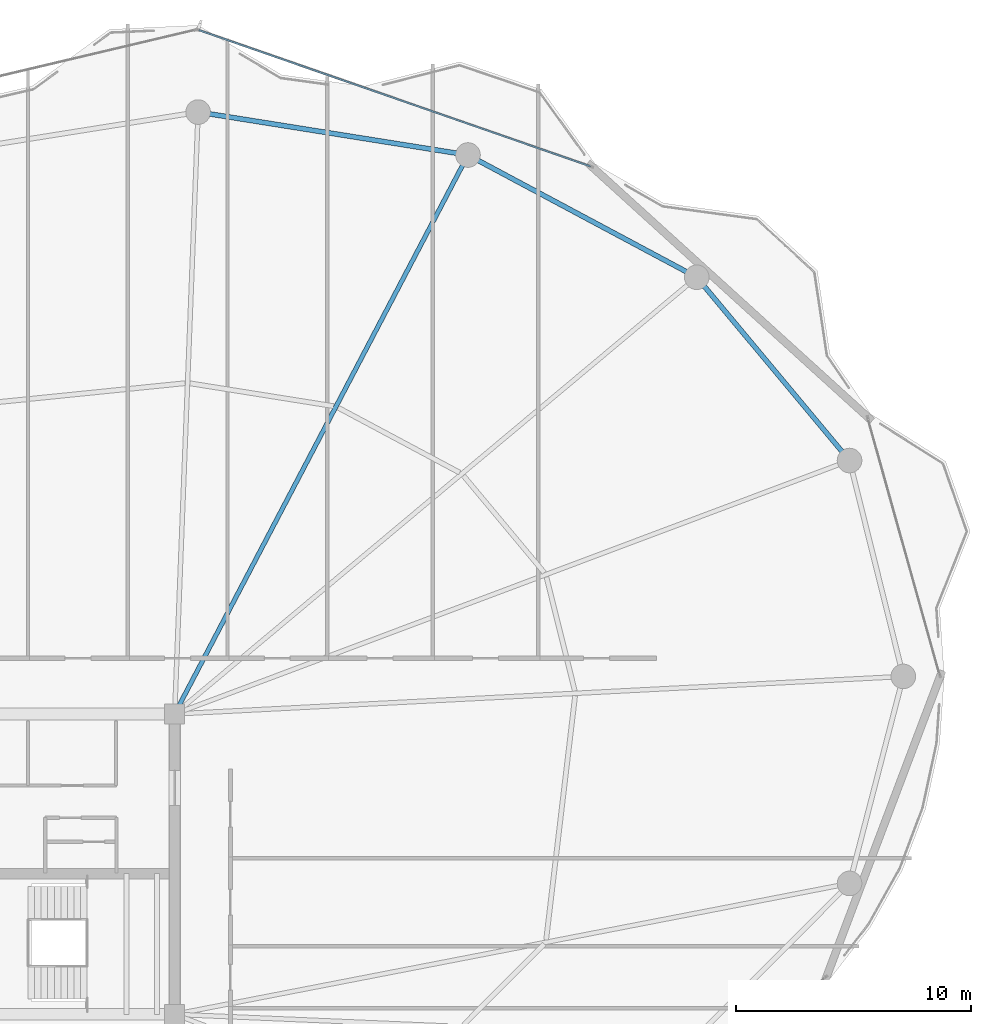
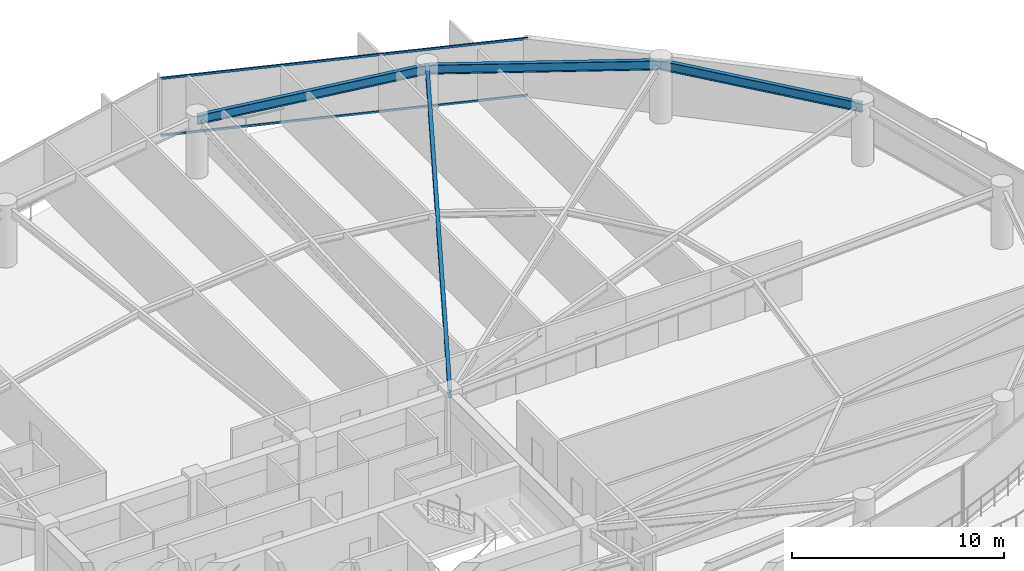
# One storey, part 20 of 29: 4 beams, 2 members, 1 element without a shape of its own.
"""IFC4 building model written with IfcOpenShell, lengths in metres."""

from ifc_helpers import new_model, si_unit, direction, frame, origin, origin_2d, place, context, subcontext, project, spatial, hollow_rectangle, i_section, extrude, material, layer, layer_set, material_profile, profile_set, type_object, element, aggregate, save


model = new_model("IFC4")

# Units and contexts
model_context = context("Model", 3, precision=1e-05, world=origin(), true_north=direction((0.0, 1.0)))
body_context = subcontext(model_context, "Body", "Model", "MODEL_VIEW")
ifc_project = project(units=[si_unit("LENGTHUNIT", "METRE"), si_unit("AREAUNIT", "SQUARE_METRE"), si_unit("VOLUMEUNIT", "CUBIC_METRE"), si_unit("PLANEANGLEUNIT", "RADIAN"), si_unit("MASSUNIT", "GRAM", prefix="KILO")], contexts=[model_context])

# Site, building, storey
site_placement = place(None, origin())
site = spatial("IfcSite", under=ifc_project, at=site_placement, CompositionType="ELEMENT")
building_placement = place(site_placement, origin())
building = spatial("IfcBuilding", under=site, at=building_placement, Name="Kazevale Care Tower and Concert Hall", CompositionType="ELEMENT")
storey_placement = place(building_placement, frame((0.0, 0.0, 224.39990234375)))
storey = spatial("IfcBuildingStorey", under=building, at=storey_placement, Name="L59", CompositionType="ELEMENT", Elevation=224.39990234375)

# Curtain wall, members
ifc_material_1 = material(Name="Aluminium 6063-T6 and Low-E Glass", Category="aluminium")
ifc_layer = layer(ifc_material_1, 0.179931640625)
ifc_layer_set = layer_set([ifc_layer], Name="Aluminium 6063-T6 and Low-E Glass")
curtain_wall_type = type_object("IfcCurtainWallType", Name="Convex Checkerboard Finned Curtain Wall CW-2", PredefinedType="NOTDEFINED", material=ifc_layer_set)
curtain_wall_placement = place(storey_placement, origin())
curtain_wall = element("IfcCurtainWall", 1, at=curtain_wall_placement, inside=storey, type_object=curtain_wall_type, Name="cw:L59:f16", PredefinedType="NOTDEFINED")
ifc_material_2 = material(Name="Aluminium 6063-T6", Category="aluminium")
ifc_material_profile_1 = material_profile(ifc_material_2, hollow_rectangle(XDim=0.074951171875, YDim=0.1201171875, WallThickness=0.00390625, at=origin_2d()), Name="ALU75x120x4")
ifc_profile_set_1 = profile_set([ifc_material_profile_1], Name="Aluminium 6063-T6")
member_type = type_object("IfcMemberType", Name="CW-2 Transom ALU75x120x4", PredefinedType="USERDEFINED", material=ifc_profile_set_1)
member_1_placement = place(storey_placement, frame((45.029541015625, 65.541748046875, 0.03759765625), z_axis=(0.944475733242, -0.328581176146, 0.0), x_axis=(0.328581176146, 0.944475733242, 0.0)))
member_1 = element("IfcMember", 2, at=member_1_placement, type_object=member_type, Name="CW-2 transom 1.1", ObjectType="TRANSOM", PredefinedType="USERDEFINED", context=body_context, shape_type="SweptSolid", body=[
    extrude(hollow_rectangle(XDim=0.074951171875, YDim=0.1201171875, WallThickness=0.00390625, at=origin_2d()), origin(), (0.0, 0.0, 1.0), 17.671142578125),
])
member_2_placement = place(storey_placement, frame((45.029541015625, 65.541748046875, 3.322509765625), z_axis=(0.944475733242, -0.328581176146, 0.0), x_axis=(0.328581176146, 0.944475733242, 0.0)))
member_2 = element("IfcMember", 3, at=member_2_placement, type_object=member_type, Name="CW-2 transom 1.2", ObjectType="TRANSOM", PredefinedType="USERDEFINED", context=body_context, shape_type="SweptSolid", body=[
    extrude(hollow_rectangle(XDim=0.074951171875, YDim=0.1201171875, WallThickness=0.00390625, at=origin_2d()), origin(), (0.0, 0.0, 1.0), 17.671142578125),
])
aggregate(curtain_wall, [member_1, member_2])

# Beams
ifc_material_3 = material(Name="Steel ASTM A572 Gr 50", Category="steel")
ifc_material_profile_2 = material_profile(ifc_material_3, i_section(OverallWidth=0.19091796875, OverallDepth=0.4599609375, WebThickness=0.010009765625, FlangeThickness=0.01611328125, at=origin_2d()), Name="W460x82")
ifc_profile_set_2 = profile_set([ifc_material_profile_2], Name="Steel ASTM A572 Gr 50")
beam_type_1 = type_object("IfcBeamType", Name="Radial Floor Beam W460x82", PredefinedType="BEAM", material=ifc_profile_set_2)
beam_1_placement = place(storey_placement, frame((44.0, 36.39990234375, 3.130126953125), z_axis=(0.464672566396, 0.885482583702, 0.0), x_axis=(-0.885482583702, 0.464672566396, 0.0)))
element("IfcBeam", 4, at=beam_1_placement, inside=storey, type_object=beam_type_1, Name="beam:L59:rad:04", PredefinedType="BEAM", context=body_context, shape_type="SweptSolid", body=[
    extrude(i_section(OverallWidth=0.19091796875, OverallDepth=0.4599609375, WebThickness=0.010009765625, FlangeThickness=0.01611328125, at=origin_2d()), origin(), (0.0, 0.0, 1.0), 26.900634765625),
])
ifc_material_profile_3 = material_profile(ifc_material_3, i_section(OverallWidth=0.208984375, OverallDepth=0.532958984375, WebThickness=0.01025390625, FlangeThickness=0.015625, at=origin_2d()), Name="W530x92")
ifc_profile_set_3 = profile_set([ifc_material_profile_3], Name="Steel ASTM A572 Gr 50")
beam_type_2 = type_object("IfcBeamType", Name="Upper Ring Beam W530x92", PredefinedType="BEAM", material=ifc_profile_set_3)
beam_2_placement = place(storey_placement, frame((72.760009765625, 47.199951171875, 3.093505859375), z_axis=(-0.640278868102, 0.768142546056, 0.0), x_axis=(-0.768142546056, -0.640278868102, 0.0)))
element("IfcBeam", 5, at=beam_2_placement, inside=storey, type_object=beam_type_2, Name="beam:L59:ring:02", PredefinedType="BEAM", context=body_context, shape_type="SweptSolid", body=[
    extrude(i_section(OverallWidth=0.208984375, OverallDepth=0.532958984375, WebThickness=0.01025390625, FlangeThickness=0.015625, at=origin_2d()), origin(), (0.0, 0.0, 1.0), 10.16748046875),
])
beam_3_placement = place(storey_placement, frame((66.25, 55.010009765625, 3.093505859375), z_axis=(-0.881978519833, 0.471289603697, 0.0), x_axis=(-0.471289603697, -0.881978519833, 0.0)))
element("IfcBeam", 6, at=beam_3_placement, inside=storey, type_object=beam_type_2, Name="beam:L59:ring:03", PredefinedType="BEAM", context=body_context, shape_type="SweptSolid", body=[
    extrude(i_section(OverallWidth=0.208984375, OverallDepth=0.532958984375, WebThickness=0.01025390625, FlangeThickness=0.015625, at=origin_2d()), origin(), (0.0, 0.0, 1.0), 11.0546875),
])
beam_4_placement = place(storey_placement, frame((56.5, 60.219970703125, 3.093505859375), z_axis=(-0.987573207584, 0.15715966296, 0.0), x_axis=(-0.15715966296, -0.987573207584, 0.0)))
element("IfcBeam", 7, at=beam_4_placement, inside=storey, type_object=beam_type_2, Name="beam:L59:ring:04", PredefinedType="BEAM", context=body_context, shape_type="SweptSolid", body=[
    extrude(i_section(OverallWidth=0.208984375, OverallDepth=0.532958984375, WebThickness=0.01025390625, FlangeThickness=0.015625, at=origin_2d()), origin(), (0.0, 0.0, 1.0), 11.644775390625),
])

save(model, "model.ifc")
